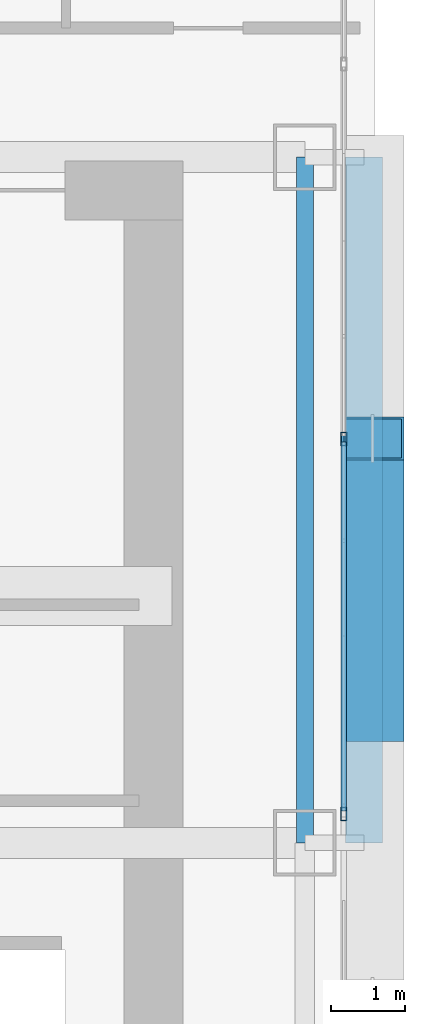
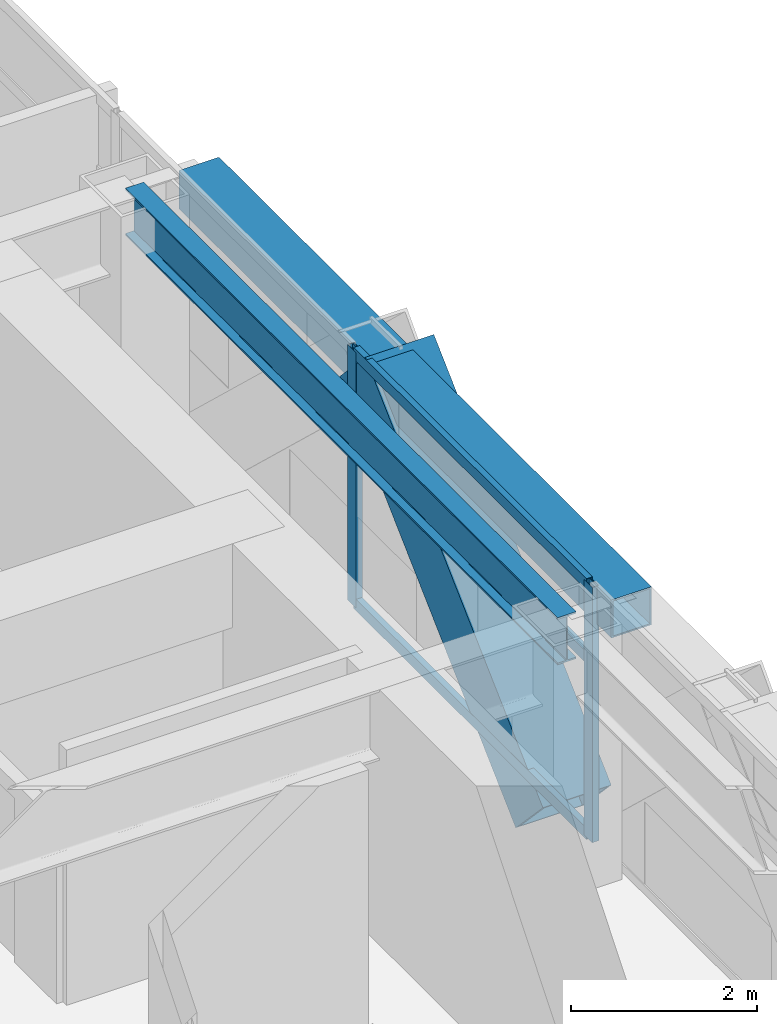
# One storey, part 15 of 35: 6 members, 2 beams, 1 element without a shape of its own.
"""IFC4 building model written with IfcOpenShell, lengths in metres."""

import ifcopenshell
import ifcopenshell.guid

model = None  # the IFC model being written
_history = None  # IfcOwnerHistory: only IFC2X3 demands one
_inside = {}  # id of a spatial element -> (the spatial element, [elements in it])
_under = {}  # id of a project, library or spatial element -> (it, [spatial elements below it])
_declared = {}  # id of a project -> (the project, [libraries it declares])
_typed = {}  # id of a type object -> (the type object, [elements of that type])
_made_of = {}  # id of a material, layer set ... -> (it, [elements and type objects made of it])


def new_model(schema):
    """Start an empty IFC model of exactly this schema.

    Asked for "IFC4X3", IfcOpenShell would pick the latest addendum, in which some entities
    have other attributes; the version numbers below select the first issue.
    IFC2X3 requires an IfcOwnerHistory on every rooted entity: one is made here for all.
    """
    global model, _history
    if schema == "IFC4X3":
        model = ifcopenshell.file(schema_version=(4, 3, 0, 0))
    else:
        model = ifcopenshell.file(schema=schema)
    _inside.clear()
    _under.clear()
    _declared.clear()
    _typed.clear()
    _made_of.clear()
    _history = None
    if model.schema == "IFC2X3":
        org = make("IfcOrganization", Name="unknown")
        user = make(
            "IfcPersonAndOrganization",
            ThePerson=make("IfcPerson", FamilyName="unknown"),
            TheOrganization=org,
        )
        app = make(
            "IfcApplication",
            ApplicationDeveloper=org,
            Version="unknown",
            ApplicationFullName="unknown",
            ApplicationIdentifier="unknown",
        )
        _history = make(
            "IfcOwnerHistory",
            OwningUser=user,
            OwningApplication=app,
            ChangeAction="ADDED",
            CreationDate=0,
        )
    return model


def make(cls, **values):
    """One entity of the class cls with the attributes given. An attribute that is None is left unset."""
    return model.create_entity(
        cls, **{name: value for name, value in values.items() if value is not None}
    )


def rooted(cls, **values):
    """An entity with a GlobalId (a new one), such as an element, a storey or a relation."""
    return make(cls, GlobalId=ifcopenshell.guid.new(), OwnerHistory=_history, **values)


def si_unit(unit_type, name, prefix=None):
    """IfcSIUnit, for example si_unit("LENGTHUNIT", "METRE", prefix="MILLI")."""
    return make("IfcSIUnit", UnitType=unit_type, Prefix=prefix, Name=name)


def assignment(units):
    """IfcUnitAssignment: the units of a project."""
    return None if units is None else make("IfcUnitAssignment", Units=units)


def point(xyz):
    """IfcCartesianPoint."""
    return None if xyz is None else make("IfcCartesianPoint", Coordinates=xyz)


def direction(xyz):
    """IfcDirection."""
    return None if xyz is None else make("IfcDirection", DirectionRatios=xyz)


def frame(location, z_axis=None, x_axis=None):
    """IfcAxis2Placement3D, a coordinate frame: its origin and axes. An axis left out is left unset."""
    return make(
        "IfcAxis2Placement3D",
        Location=point(location),
        Axis=direction(z_axis),
        RefDirection=direction(x_axis),
    )


def frame_2d(location, x_axis=None):
    """IfcAxis2Placement2D, a coordinate frame in the plane: its origin and x axis."""
    return make(
        "IfcAxis2Placement2D", Location=point(location), RefDirection=direction(x_axis)
    )


def origin():
    """The frame at (0, 0, 0) with its axes left unset."""
    return frame((0.0, 0.0, 0.0))


def origin_2d():
    """The frame at (0, 0) in the plane with its x axis left unset."""
    return frame_2d((0.0, 0.0))


def place(relative_to, where):
    """IfcLocalPlacement: puts the frame where relative to a parent placement (None: the world)."""
    return make(
        "IfcLocalPlacement", PlacementRelTo=relative_to, RelativePlacement=where
    )


def context(
    kind, dimensions, precision=None, world=None, true_north=None, identifier=None
):
    """IfcGeometricRepresentationContext, for example the 3D "Model" context."""
    return make(
        "IfcGeometricRepresentationContext",
        ContextIdentifier=identifier,
        ContextType=kind,
        CoordinateSpaceDimension=dimensions,
        Precision=precision,
        WorldCoordinateSystem=world,
        TrueNorth=true_north,
    )


def subcontext(parent, identifier, kind, view, scale=None):
    """IfcGeometricRepresentationSubContext, for example "Body" below "Model"."""
    return make(
        "IfcGeometricRepresentationSubContext",
        ContextIdentifier=identifier,
        ContextType=kind,
        ParentContext=parent,
        TargetScale=scale,
        TargetView=view,
    )


def project(units=None, contexts=None):
    """IfcProject with its units and contexts."""
    return rooted(
        "IfcProject",
        Name="project",
        RepresentationContexts=contexts,
        UnitsInContext=assignment(units),
    )


def spatial(cls, under=None, at=None, **own):
    """A site, building, storey or space (cls), placed at a placement, below another one or the project."""
    s = rooted(cls, ObjectPlacement=at, **own)
    if under is not None:
        _under.setdefault(under.id(), (under, []))[1].append(s)
    return s


def profile(cls, at=None, kind="AREA", **sizes):
    """A parametric profile (cls). Its sizes go by their IFC names, for example OverallWidth=200.0."""
    return make(cls, ProfileType=kind, Position=at, **sizes)


def hollow_rectangle(**sizes):
    """IfcRectangleHollowProfileDef."""
    return profile("IfcRectangleHollowProfileDef", **sizes)


def i_section(**sizes):
    """IfcIShapeProfileDef."""
    return profile("IfcIShapeProfileDef", **sizes)


def extrude(swept, where, along, depth):
    """IfcExtrudedAreaSolid: the profile swept, set in the frame where, extruded along a direction by depth."""
    return make(
        "IfcExtrudedAreaSolid",
        SweptArea=swept,
        Position=where,
        ExtrudedDirection=direction(along),
        Depth=depth,
    )


def shape(context_of_items, identifier, shape_type, items):
    """IfcShapeRepresentation: the items that make up one representation, for example the "Body"."""
    return make(
        "IfcShapeRepresentation",
        ContextOfItems=context_of_items,
        RepresentationIdentifier=identifier,
        RepresentationType=shape_type,
        Items=items,
    )


def source(mapping_origin, context_of_items, identifier, shape_type, items):
    """IfcRepresentationMap: a shape defined once, which mapped items show again and again."""
    return make(
        "IfcRepresentationMap",
        MappingOrigin=mapping_origin,
        MappedRepresentation=shape(context_of_items, identifier, shape_type, items),
    )


def transform(
    local_origin,
    x_axis=None,
    y_axis=None,
    z_axis=None,
    scale=None,
    scale2=None,
    scale3=None,
    uniform=True,
):
    """IfcCartesianTransformationOperator3D, or its non-uniform kind. x_axis, y_axis, z_axis: its Axis1, 2, 3."""
    if uniform:
        return make(
            "IfcCartesianTransformationOperator3D",
            Axis1=direction(x_axis),
            Axis2=direction(y_axis),
            LocalOrigin=point(local_origin),
            Scale=scale,
            Axis3=direction(z_axis),
        )
    return make(
        "IfcCartesianTransformationOperator3DnonUniform",
        Axis1=direction(x_axis),
        Axis2=direction(y_axis),
        LocalOrigin=point(local_origin),
        Scale=scale,
        Axis3=direction(z_axis),
        Scale2=scale2,
        Scale3=scale3,
    )


def mapped(mapping_source, mapping_target):
    """IfcMappedItem: shows the shape of a source again, moved by a transform."""
    return make(
        "IfcMappedItem", MappingSource=mapping_source, MappingTarget=mapping_target
    )


def material(Name=None, Category=None):
    """IfcMaterial."""
    return make("IfcMaterial", Name=Name, Category=Category)


def layer(
    of_material, thickness, ventilated=None, Name=None, Category=None, Priority=None
):
    """IfcMaterialLayer: one layer of a wall or slab, of a material (None: an air gap)."""
    return make(
        "IfcMaterialLayer",
        Material=of_material,
        LayerThickness=thickness,
        IsVentilated=ventilated,
        Name=Name,
        Category=Category,
        Priority=Priority,
    )


def layer_set(layers, Name=None):
    """IfcMaterialLayerSet."""
    return make("IfcMaterialLayerSet", MaterialLayers=layers, LayerSetName=Name)


def material_profile(
    of_material, cross_section, Name=None, Category=None, Priority=None
):
    """IfcMaterialProfile: a cross section and its material."""
    return make(
        "IfcMaterialProfile",
        Name=Name,
        Material=of_material,
        Profile=cross_section,
        Priority=Priority,
        Category=Category,
    )


def profile_set(profiles, Name=None, composite=None):
    """IfcMaterialProfileSet."""
    return make(
        "IfcMaterialProfileSet",
        Name=Name,
        MaterialProfiles=profiles,
        CompositeProfile=composite,
    )


def made_of(thing, what):
    """Note that an element or type object is made of a material, layer set ...; save() writes the relation."""
    if what is not None:
        _made_of.setdefault(what.id(), (what, []))[1].append(thing)
    return thing


def type_object(cls, material=None, **own):
    """A type object (cls), such as IfcWallType, which elements share."""
    return made_of(rooted(cls, **own), material)


def element(
    cls,
    number,
    at=None,
    inside=None,
    cuts=None,
    type_object=None,
    material=None,
    context=None,
    identifier="Body",
    shape_type=None,
    held_by="IfcProductDefinitionShape",
    body=None,
    shapes=None,
    **own,
):
    """One element of the class cls, such as IfcWall. Its Tag is "e" and its number.

    at: its placement. inside: the storey or other place that contains it. cuts: it is an
    opening in that element (IfcRelVoidsElement). A single representation is given by context,
    identifier, shape_type and body (its items); several are given by shapes. held_by: the class
    of the entity that holds the representations. save() writes the other relations.
    """
    e = rooted(cls, Tag="e%d" % number, ObjectPlacement=at, **own)
    if body is not None:
        shapes = [shape(context, identifier, shape_type, body)]
    if shapes is not None:
        e.Representation = make(held_by, Representations=shapes)
    if inside is not None:
        _inside.setdefault(inside.id(), (inside, []))[1].append(e)
    if cuts is not None:
        rooted(
            "IfcRelVoidsElement", RelatingBuildingElement=cuts, RelatedOpeningElement=e
        )
    if type_object is not None:
        _typed.setdefault(type_object.id(), (type_object, []))[1].append(e)
    return made_of(e, material)


def aggregate(whole, parts):
    """IfcRelAggregates: a whole, such as a stair, and the parts it consists of."""
    return rooted("IfcRelAggregates", RelatingObject=whole, RelatedObjects=parts)


def save(model, path):
    """Write the relations noted so far, then the file.

    IfcRelAggregates (storeys below a building ...), IfcRelContainedInSpatialStructure (elements
    in a storey), IfcRelDefinesByType, IfcRelAssociatesMaterial and IfcRelDeclares: one each for
    every whole, place, type object, material and project.
    """
    for whole, parts in _under.values():
        aggregate(whole, parts)
    for where, things in _inside.values():
        rooted(
            "IfcRelContainedInSpatialStructure",
            RelatedElements=things,
            RelatingStructure=where,
        )
    for kind, things in _typed.values():
        rooted("IfcRelDefinesByType", RelatedObjects=things, RelatingType=kind)
    for what, things in _made_of.values():
        rooted("IfcRelAssociatesMaterial", RelatedObjects=things, RelatingMaterial=what)
    for by, libraries in _declared.values():
        rooted("IfcRelDeclares", RelatingContext=by, RelatedDefinitions=libraries)
    model.write(path)


model = new_model("IFC4")

# Units and contexts
model_context = context("Model", 3, precision=1e-05, world=origin(), true_north=direction((0.0, 1.0)))
body_context = subcontext(model_context, "Body", "Model", "MODEL_VIEW")
ifc_project = project(units=[si_unit("LENGTHUNIT", "METRE"), si_unit("AREAUNIT", "SQUARE_METRE"), si_unit("VOLUMEUNIT", "CUBIC_METRE"), si_unit("PLANEANGLEUNIT", "RADIAN"), si_unit("MASSUNIT", "GRAM", prefix="KILO")], contexts=[model_context])

# Site, building, storey
site_placement = place(None, origin())
site = spatial("IfcSite", under=ifc_project, at=site_placement, CompositionType="ELEMENT")
building_placement = place(site_placement, origin())
building = spatial("IfcBuilding", under=site, at=building_placement, Name="Ocotamira Hotel", CompositionType="ELEMENT")
storey_placement = place(building_placement, frame((0.0, 0.0, 70.800048828125)))
storey = spatial("IfcBuildingStorey", under=building, at=storey_placement, Name="L17", CompositionType="ELEMENT", Elevation=70.800048828125)

# Beams
ifc_material_1 = material(Name="Steel ASTM A992 Grade 50", Category="steel")
ifc_material_profile_1 = material_profile(ifc_material_1, i_section(OverallWidth=0.22998046875, OverallDepth=0.616943359375, WebThickness=0.01318359375, FlangeThickness=0.022216796875, FilletRadius=0.012939453125, at=origin_2d()), Name="W24X94")
ifc_profile_set_1 = profile_set([ifc_material_profile_1], Name="Steel ASTM A992 Grade 50")
beam_type_1 = type_object("IfcBeamType", Name="BM-PRIM-W24X94", PredefinedType="BEAM", material=ifc_profile_set_1)
shared_shape_1 = source(origin(), body_context, "Body", "SweptSolid", [
    extrude(i_section(OverallWidth=0.22998046875, OverallDepth=0.616943359375, WebThickness=0.01318359375, FlangeThickness=0.022216796875, FilletRadius=0.012939453125, at=origin_2d()), origin(), (0.0, 0.0, 1.0), 9.300048828125),
])
beam_1_placement = place(storey_placement, frame((55.050048828125, 28.14990234375, 3.04150390625), z_axis=(0.0, 1.0, 0.0), x_axis=(-1.0, 0.0, 0.0)))
element("IfcBeam", 1, at=beam_1_placement, inside=storey, type_object=beam_type_1, Name="L17 Beam X55.05 Y28.15-37.45", PredefinedType="BEAM", context=body_context, shape_type="MappedRepresentation", body=[
    mapped(shared_shape_1, transform((0.0, 0.0, 0.0), scale=1.0)),
])
ifc_material_2 = material(Name="Steel ASTM A500 Grade C", Category="steel")
ifc_material_profile_2 = material_profile(ifc_material_2, hollow_rectangle(XDim=0.5, YDim=0.5, WallThickness=0.02001953125, at=origin_2d()), Name="HSS500X500X20")
ifc_profile_set_2 = profile_set([ifc_material_profile_2], Name="Steel ASTM A500 Grade C")
beam_type_2 = type_object("IfcBeamType", Name="BM-SPAN-HSS500", PredefinedType="USERDEFINED", material=ifc_profile_set_2)
shared_shape_2 = source(origin(), body_context, "Body", "SweptSolid", [
    extrude(hollow_rectangle(XDim=0.5, YDim=0.5, WallThickness=0.02001953125, at=origin_2d()), origin(), (0.0, 0.0, 1.0), 9.300048828125),
])
beam_2_placement = place(storey_placement, frame((55.85009765625, 28.14990234375, 3.099853515625), z_axis=(0.0, 1.0, 0.0), x_axis=(-1.0, 0.0, 0.0)))
element("IfcBeam", 2, at=beam_2_placement, inside=storey, type_object=beam_type_2, Name="L17 Edge Spandrel E Y28.15-37.45", ObjectType="SPANDREL", PredefinedType="USERDEFINED", context=body_context, shape_type="MappedRepresentation", body=[
    mapped(shared_shape_2, transform((0.0, 0.0, 0.0), scale=1.0)),
])

# Member
ifc_material_3 = material(Name="Pale-metal coated steel ASTM A913 Grade 65", Category="steel")
ifc_material_profile_3 = material_profile(ifc_material_3, hollow_rectangle(XDim=0.85009765625, YDim=0.85009765625, WallThickness=0.035888671875, at=origin_2d()), Name="BOX850X850X36")
ifc_profile_set_3 = profile_set([ifc_material_profile_3], Name="Pale-metal coated steel ASTM A913 Grade 65")
member_type_1 = type_object("IfcMemberType", Name="MEM-EXO-BOX850", PredefinedType="BRACE", material=ifc_profile_set_3)
shared_shape_3 = source(origin(), body_context, "Body", "SweptSolid", [
    extrude(hollow_rectangle(XDim=0.85009765625, YDim=0.85009765625, WallThickness=0.035888671875, at=origin_2d()), origin(), (0.0, 0.0, 1.0), 5.24658203125),
])
member_1_placement = place(storey_placement, frame((55.969970703125, 29.816650390625, -0.5), z_axis=(0.0, 0.72746596067, 0.686143772154), x_axis=(-1.0, 0.0, 0.0)))
element("IfcMember", 3, at=member_1_placement, inside=storey, type_object=member_type_1, Name="L17 Exoskeleton Diagrid E2.1", PredefinedType="BRACE", context=body_context, shape_type="MappedRepresentation", body=[
    mapped(shared_shape_3, transform((0.0, 0.0, 0.0), scale=1.0)),
])

# Curtain wall, members
ifc_material_4 = material(Name="Anodised pale-metal aluminium and solar glass", Category="aluminium")
ifc_layer = layer(ifc_material_4, 0.179931640625)
ifc_layer_set = layer_set([ifc_layer], Name="Anodised pale-metal aluminium and solar glass")
curtain_wall_type = type_object("IfcCurtainWallType", Name="CW-SYS2-Z1", PredefinedType="NOTDEFINED", material=ifc_layer_set)
curtain_wall_placement = place(storey_placement, origin())
curtain_wall = element("IfcCurtainWall", 4, at=curtain_wall_placement, inside=storey, type_object=curtain_wall_type, Name="L17 Curtain Wall CW-2 CW-L17-E", PredefinedType="NOTDEFINED")
ifc_material_5 = material(Name="Anodised pale-metal aluminium 6063-T6", Category="aluminium")
ifc_material_profile_4 = material_profile(ifc_material_5, hollow_rectangle(XDim=0.080078125, YDim=0.179931640625, WallThickness=0.006103515625, at=origin_2d()), Name="HSS180X80X6")
ifc_profile_set_4 = profile_set([ifc_material_profile_4], Name="Anodised pale-metal aluminium 6063-T6")
member_type_2 = type_object("IfcMemberType", Name="CWM-180X75", PredefinedType="MULLION", material=ifc_profile_set_4)
shared_shape_4 = source(origin(), body_context, "Body", "SweptSolid", [
    extrude(hollow_rectangle(XDim=0.080078125, YDim=0.179931640625, WallThickness=0.006103515625, at=origin_2d()), origin(), (0.0, 0.0, 1.0), 3.349853515625),
])
member_2_placement = place(storey_placement, frame((55.580078125, 28.54296875, 0.0), z_axis=(0.0, 0.0, 1.0), x_axis=(-1.0, 0.0, 0.0)))
member_2 = element("IfcMember", 5, at=member_2_placement, type_object=member_type_2, Name="CW-2 mullion 5", PredefinedType="MULLION", context=body_context, shape_type="MappedRepresentation", body=[
    mapped(shared_shape_4, transform((0.0, 0.0, 0.0), scale=1.0)),
])
member_3_placement = place(storey_placement, frame((55.580078125, 33.628662109375, 0.0), z_axis=(0.0, 0.0, 1.0), x_axis=(-1.0, 0.0, 0.0)))
member_3 = element("IfcMember", 6, at=member_3_placement, type_object=member_type_2, Name="CW-2 mullion 6", PredefinedType="MULLION", context=body_context, shape_type="MappedRepresentation", body=[
    mapped(shared_shape_4, transform((0.0, 0.0, 0.0), scale=1.0)),
])
ifc_material_profile_5 = material_profile(ifc_material_5, hollow_rectangle(XDim=0.074951171875, YDim=0.14990234375, WallThickness=0.006103515625, at=origin_2d()), Name="HSS150X75X6")
ifc_profile_set_5 = profile_set([ifc_material_profile_5], Name="Anodised pale-metal aluminium 6063-T6")
member_type_3 = type_object("IfcMemberType", Name="CWT-150X75", PredefinedType="USERDEFINED", material=ifc_profile_set_5)
shared_shape_5 = source(origin(), body_context, "Body", "SweptSolid", [
    extrude(hollow_rectangle(XDim=0.074951171875, YDim=0.14990234375, WallThickness=0.006103515625, at=origin_2d()), origin(), (0.0, 0.0, 1.0), 5.005859375),
])
member_4_placement = place(storey_placement, frame((55.580078125, 28.582763671875, 0.037353515625), z_axis=(0.0, 1.0, 0.0), x_axis=(-1.0, 0.0, 0.0)))
member_4 = element("IfcMember", 7, at=member_4_placement, type_object=member_type_3, Name="CW-2 transom 5.1", ObjectType="TRANSOM", PredefinedType="USERDEFINED", context=body_context, shape_type="MappedRepresentation", body=[
    mapped(shared_shape_5, transform((0.0, 0.0, 0.0), scale=1.0)),
])
member_5_placement = place(storey_placement, frame((55.580078125, 28.582763671875, 2.349853515625), z_axis=(0.0, 1.0, 0.0), x_axis=(-1.0, 0.0, 0.0)))
member_5 = element("IfcMember", 8, at=member_5_placement, type_object=member_type_3, Name="CW-2 transom 5.2", ObjectType="TRANSOM", PredefinedType="USERDEFINED", context=body_context, shape_type="MappedRepresentation", body=[
    mapped(shared_shape_5, transform((0.0, 0.0, 0.0), scale=1.0)),
])
member_6_placement = place(storey_placement, frame((55.580078125, 28.582763671875, 3.3125), z_axis=(0.0, 1.0, 0.0), x_axis=(-1.0, 0.0, 0.0)))
member_6 = element("IfcMember", 9, at=member_6_placement, type_object=member_type_3, Name="CW-2 transom 5.3", ObjectType="TRANSOM", PredefinedType="USERDEFINED", context=body_context, shape_type="MappedRepresentation", body=[
    mapped(shared_shape_5, transform((0.0, 0.0, 0.0), scale=1.0)),
])
aggregate(curtain_wall, [member_2, member_3, member_4, member_5, member_6])

save(model, "model.ifc")
